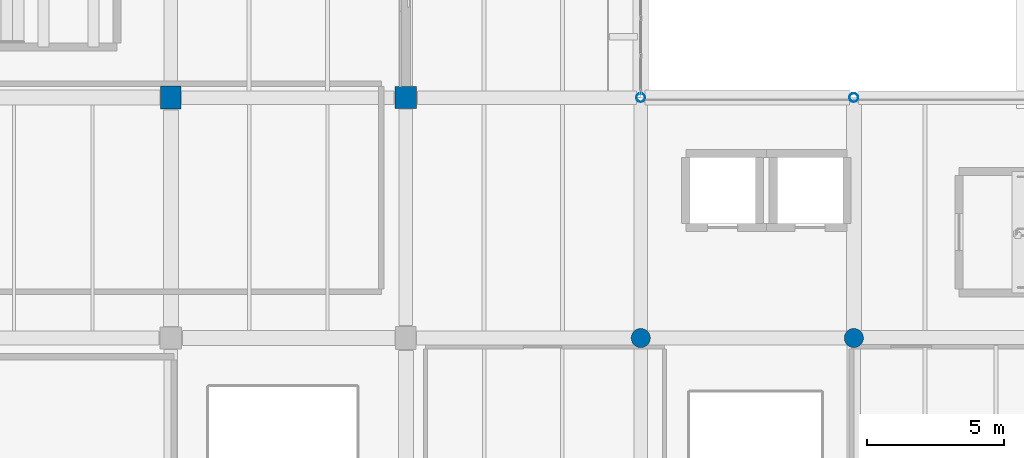
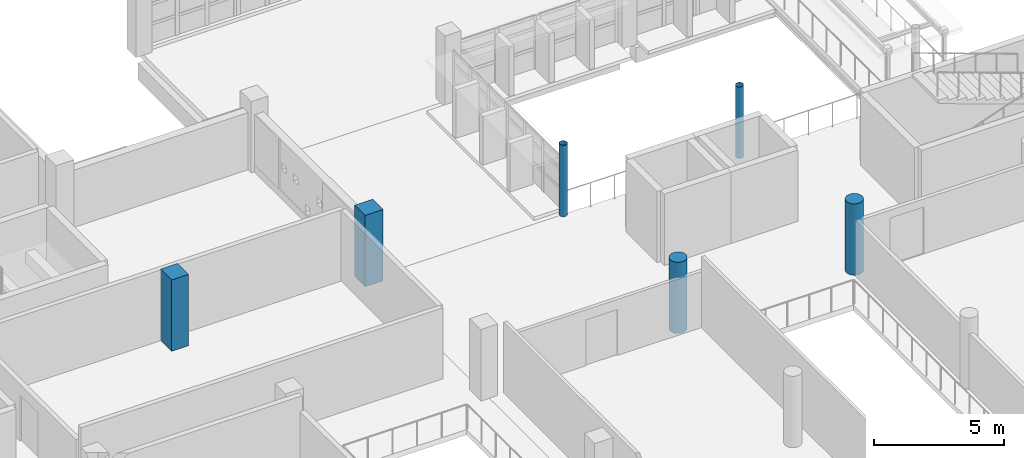
# One storey, part 3 of 75: 6 columns.
"""IFC4 building model written with IfcOpenShell, lengths in metres."""

from ifc_helpers import new_model, si_unit, direction, frame, origin, origin_2d, place, context, subcontext, project, spatial, rectangle, circle, hollow_circle, extrude, material, material_profile, profile_set, type_object, element, save


model = new_model("IFC4")

# Units and contexts
model_context = context("Model", 3, precision=1e-05, world=origin(), true_north=direction((0.0, 1.0)))
body_context = subcontext(model_context, "Body", "Model", "MODEL_VIEW")
ifc_project = project(units=[si_unit("LENGTHUNIT", "METRE"), si_unit("AREAUNIT", "SQUARE_METRE"), si_unit("VOLUMEUNIT", "CUBIC_METRE"), si_unit("PLANEANGLEUNIT", "RADIAN"), si_unit("MASSUNIT", "GRAM", prefix="KILO")], contexts=[model_context])

# Site, building, storey
site_placement = place(None, origin())
site = spatial("IfcSite", under=ifc_project, at=site_placement, CompositionType="ELEMENT")
building_placement = place(site_placement, origin())
building = spatial("IfcBuilding", under=site, at=building_placement, Name="Varnakota Cinema and Media Centre", CompositionType="ELEMENT")
storey_placement = place(building_placement, frame((0.0, 0.0, 8.39990234375)))
storey = spatial("IfcBuildingStorey", under=building, at=storey_placement, Name="L02", CompositionType="ELEMENT", Elevation=8.39990234375)

# Columns
ifc_material_1 = material(Name="Concrete M40", Category="concrete")
ifc_material_profile_1 = material_profile(ifc_material_1, rectangle(XDim=0.75, YDim=0.85009765625, at=origin_2d()), Name="RC 750x850")
ifc_profile_set_1 = profile_set([ifc_material_profile_1], Name="Concrete M40")
column_type_1 = type_object("IfcColumnType", Name="COL-RC-750x850", PredefinedType="COLUMN", material=ifc_profile_set_1)
column_1_placement = place(storey_placement, frame((34.39990234375, 26.39990234375, 0.0), z_axis=(0.0, 0.0, 1.0), x_axis=(1.0, 0.0, 0.0)))
element("IfcColumn", 1, at=column_1_placement, inside=storey, type_object=column_type_1, Name="L02 column E/4", PredefinedType="COLUMN", context=body_context, shape_type="SweptSolid", body=[
    extrude(rectangle(XDim=0.75, YDim=0.85009765625, at=origin_2d()), origin(), (0.0, 0.0, 1.0), 3.340087890625),
])
ifc_material_2 = material(Name="Concrete M40", Category="concrete")
ifc_material_profile_2 = material_profile(ifc_material_2, rectangle(XDim=0.800048828125, YDim=0.800048828125, at=origin_2d()), Name="RC 800x800")
ifc_profile_set_2 = profile_set([ifc_material_profile_2], Name="Concrete M40")
column_type_2 = type_object("IfcColumnType", Name="COL-RC-800x800", PredefinedType="COLUMN", material=ifc_profile_set_2)
column_2_placement = place(storey_placement, frame((43.0, 26.39990234375, 0.0), z_axis=(0.0, 0.0, 1.0), x_axis=(1.0, 0.0, 0.0)))
element("IfcColumn", 2, at=column_2_placement, inside=storey, type_object=column_type_2, Name="L02 column F/4", PredefinedType="COLUMN", context=body_context, shape_type="SweptSolid", body=[
    extrude(rectangle(XDim=0.800048828125, YDim=0.800048828125, at=origin_2d()), origin(), (0.0, 0.0, 1.0), 3.340087890625),
])
ifc_material_3 = material(Name="Concrete M40", Category="concrete")
ifc_material_profile_3 = material_profile(ifc_material_3, circle(Radius=0.35009765625, at=origin_2d()), Name="RC D700")
ifc_profile_set_3 = profile_set([ifc_material_profile_3], Name="Concrete M40")
column_type_3 = type_object("IfcColumnType", Name="COL-RC-D700", PredefinedType="COLUMN", material=ifc_profile_set_3)
for number, where, z_axis, x_axis, name in (
    (3, (51.60009765625, 17.60009765625, 0.0), (0.0, 0.0, 1.0), (1.0, 0.0, 0.0), "L02 column G/3"),
    (4, (59.39990234375, 17.60009765625, 0.0), (0.0, 0.0, 1.0), (1.0, 0.0, 0.0), "L02 column H/3"),
):
    element("IfcColumn", number, at=place(storey_placement, frame(where, z_axis=z_axis, x_axis=x_axis)), inside=storey, type_object=column_type_3, Name=name, PredefinedType="COLUMN", context=body_context, shape_type="SweptSolid", body=[
        extrude(circle(Radius=0.35009765625, at=origin_2d()), origin(), (0.0, 0.0, 1.0), 3.340087890625),
    ])
ifc_material_4 = material(Name="Structural steel S355 (YSt 355)", Category="steel")
ifc_material_profile_4 = material_profile(ifc_material_4, hollow_circle(Radius=0.161865234375, WallThickness=0.010009765625, at=origin_2d()), Name="CHS 323.9x10.0")
ifc_profile_set_4 = profile_set([ifc_material_profile_4], Name="Structural steel S355 (YSt 355)")
column_type_4 = type_object("IfcColumnType", Name="COL-ST-CHS324", PredefinedType="COLUMN", material=ifc_profile_set_4)
for number, where, z_axis, x_axis, name in (
    (5, (51.60009765625, 26.39990234375, 0.0), (0.0, 0.0, 1.0), (1.0, 0.0, 0.0), "L02 column G/4"),
    (6, (59.39990234375, 26.39990234375, 0.0), (0.0, 0.0, 1.0), (1.0, 0.0, 0.0), "L02 column H/4"),
):
    element("IfcColumn", number, at=place(storey_placement, frame(where, z_axis=z_axis, x_axis=x_axis)), inside=storey, type_object=column_type_4, Name=name, PredefinedType="COLUMN", context=body_context, shape_type="SweptSolid", body=[
        extrude(hollow_circle(Radius=0.161865234375, WallThickness=0.010009765625, at=origin_2d()), origin(), (0.0, 0.0, 1.0), 3.340087890625),
    ])

save(model, "model.ifc")
